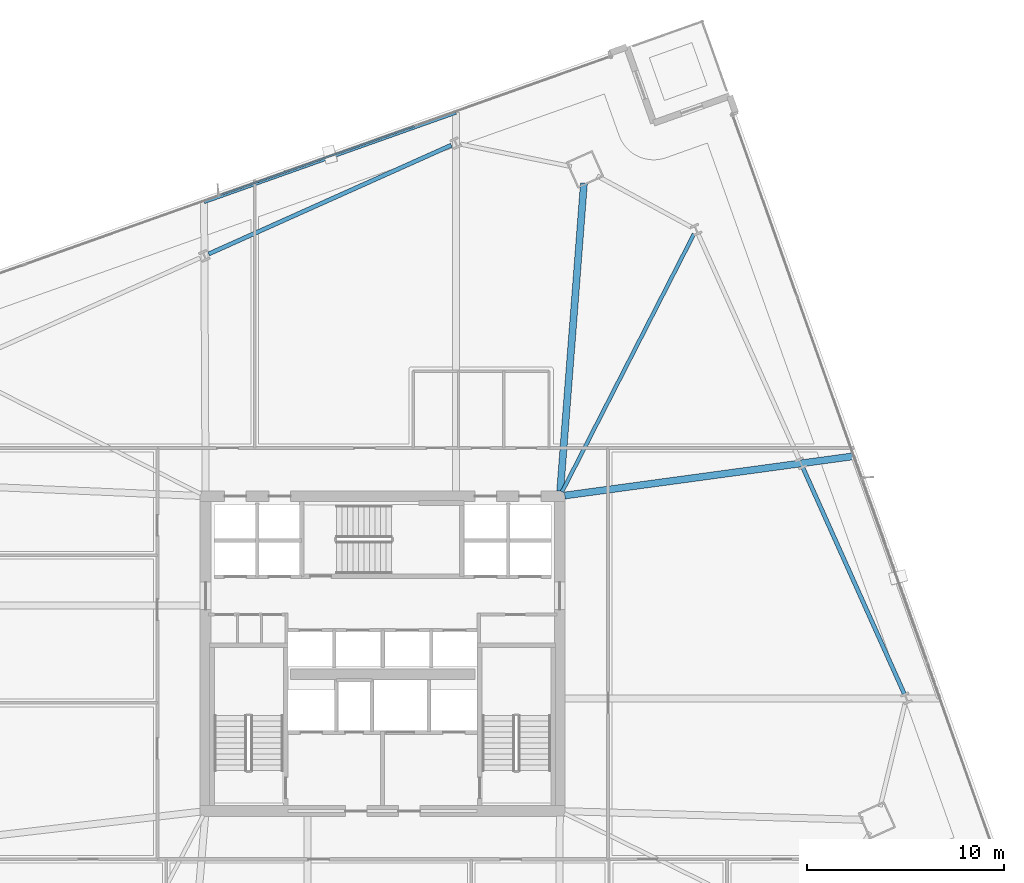
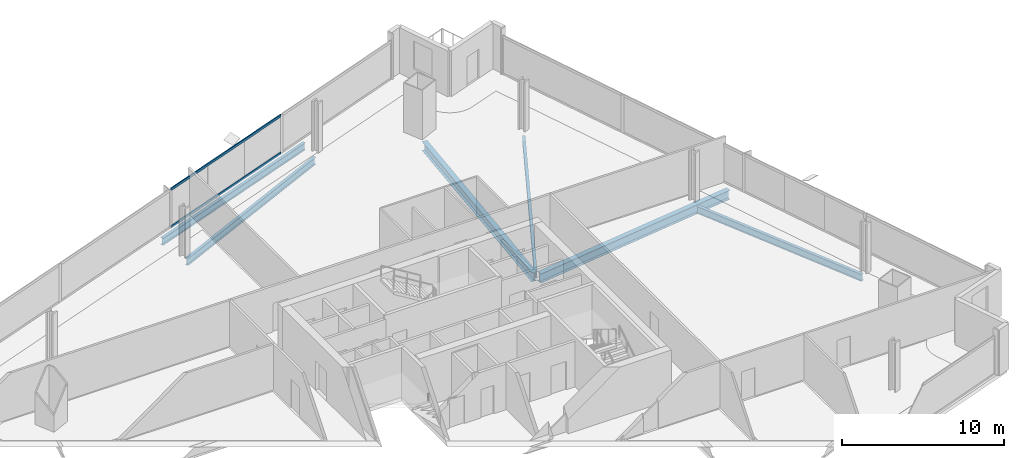
# One storey, part 19 of 33: 6 beams, 2 members, 1 element without a shape of its own.
"""IFC4 building model written with IfcOpenShell, lengths in metres."""

from ifc_helpers import new_model, si_unit, direction, frame, origin, origin_2d, place, context, subcontext, project, spatial, hollow_rectangle, i_section, extrude, material, material_profile, profile_set, type_object, element, aggregate, save


model = new_model("IFC4")

# Units and contexts
model_context = context("Model", 3, precision=1e-05, world=origin(), true_north=direction((0.0, 1.0)))
body_context = subcontext(model_context, "Body", "Model", "MODEL_VIEW")
ifc_project = project(units=[si_unit("LENGTHUNIT", "METRE"), si_unit("AREAUNIT", "SQUARE_METRE"), si_unit("VOLUMEUNIT", "CUBIC_METRE"), si_unit("PLANEANGLEUNIT", "RADIAN"), si_unit("MASSUNIT", "GRAM", prefix="KILO")], contexts=[model_context])

# Site, building, storey
site_placement = place(None, origin())
site = spatial("IfcSite", under=ifc_project, at=site_placement, CompositionType="ELEMENT")
building_placement = place(site_placement, origin())
building = spatial("IfcBuilding", under=site, at=building_placement, Name="Haldenkirk Collegiate Tower", CompositionType="ELEMENT")
storey_placement = place(building_placement, frame((0.0, 0.0, 94.199951171875)))
storey = spatial("IfcBuildingStorey", under=building, at=storey_placement, Name="L22", CompositionType="ELEMENT", Elevation=94.199951171875)

# Beams
ifc_material_1 = material(Name="Steel ASTM A992 Grade 50", Category="steel")
ifc_material_profile_1 = material_profile(ifc_material_1, i_section(OverallWidth=0.35498046875, OverallDepth=0.696044921875, WebThickness=0.015380859375, FlangeThickness=0.02490234375, at=origin_2d()), Name="W27X146")
ifc_profile_set_1 = profile_set([ifc_material_profile_1], Name="Steel ASTM A992 Grade 50")
beam_type_1 = type_object("IfcBeamType", Name="BM-GIRDER-W27X146", PredefinedType="BEAM", material=ifc_profile_set_1)
beam_1_placement = place(storey_placement, frame((46.226806640625, 49.9072265625, -0.64794921875), z_axis=(-0.076898657581, -0.997038914217, 0.0), x_axis=(0.997038914217, -0.076898657581, 0.0)))
element("IfcBeam", 1, at=beam_1_placement, inside=storey, type_object=beam_type_1, Name="L22 primary floor girder 03", PredefinedType="BEAM", context=body_context, shape_type="SweptSolid", body=[
    extrude(i_section(OverallWidth=0.35498046875, OverallDepth=0.696044921875, WebThickness=0.015380859375, FlangeThickness=0.02490234375, at=origin_2d()), origin(), (0.0, 0.0, 1.0), 15.699462890625),
])
beam_2_placement = place(storey_placement, frame((59.902587890625, 36.02734375, -0.64794921875), z_axis=(-0.990873526092, -0.134794863738, 0.0), x_axis=(0.134794863738, -0.990873526092, 0.0)))
element("IfcBeam", 2, at=beam_2_placement, inside=storey, type_object=beam_type_1, Name="L22 primary floor girder 09", PredefinedType="BEAM", context=body_context, shape_type="SweptSolid", body=[
    extrude(i_section(OverallWidth=0.35498046875, OverallDepth=0.696044921875, WebThickness=0.015380859375, FlangeThickness=0.02490234375, at=origin_2d()), origin(), (0.0, 0.0, 1.0), 14.784912109375),
])
ifc_material_profile_2 = material_profile(ifc_material_1, i_section(OverallWidth=0.19189453125, OverallDepth=0.462890625, WebThickness=0.010498046875, FlangeThickness=0.017578125, at=origin_2d()), Name="W18X60")
ifc_profile_set_2 = profile_set([ifc_material_profile_2], Name="Steel ASTM A992 Grade 50")
beam_type_2 = type_object("IfcBeamType", Name="BM-JOIST-W18X60", PredefinedType="JOIST", material=ifc_profile_set_2)
beam_3_placement = place(storey_placement, frame((51.818603515625, 47.32470703125, -0.531494140625), z_axis=(-0.455544005291, -0.890213266158, 0.0), x_axis=(0.890213266158, -0.455544005291, 0.0)))
element("IfcBeam", 3, at=beam_3_placement, inside=storey, type_object=beam_type_2, Name="L22 composite floor joist 10", PredefinedType="JOIST", context=body_context, shape_type="SweptSolid", body=[
    extrude(i_section(OverallWidth=0.19189453125, OverallDepth=0.462890625, WebThickness=0.010498046875, FlangeThickness=0.017578125, at=origin_2d()), origin(), (0.0, 0.0, 1.0), 14.712890625),
])
ifc_material_profile_3 = material_profile(ifc_material_1, i_section(OverallWidth=0.2119140625, OverallDepth=0.5439453125, WebThickness=0.01318359375, FlangeThickness=0.021240234375, at=origin_2d()), Name="W21X83")
ifc_profile_set_3 = profile_set([ifc_material_profile_3], Name="Steel ASTM A992 Grade 50")
beam_type_3 = type_object("IfcBeamType", Name="BM-SPANDREL-W21X83", PredefinedType="SPANDREL", material=ifc_profile_set_3)
beam_4_placement = place(storey_placement, frame((62.50830078125, 23.951416015625, -0.572021484375), z_axis=(-0.409131045523, 0.91247563671, 0.0), x_axis=(-0.91247563671, -0.409131045523, 0.0)))
element("IfcBeam", 4, at=beam_4_placement, inside=storey, type_object=beam_type_3, Name="L22 perimeter spandrel beam 06", PredefinedType="SPANDREL", context=body_context, shape_type="SweptSolid", body=[
    extrude(i_section(OverallWidth=0.2119140625, OverallDepth=0.5439453125, WebThickness=0.01318359375, FlangeThickness=0.021240234375, at=origin_2d()), origin(), (0.0, 0.0, 1.0), 12.593994140625),
])
beam_5_placement = place(storey_placement, frame((39.4921875, 51.84033203125, -0.572021484375), z_axis=(-0.912476765144, -0.409128528793, 0.0), x_axis=(0.409128528793, -0.912476765144, 0.0)))
element("IfcBeam", 5, at=beam_5_placement, inside=storey, type_object=beam_type_3, Name="L22 perimeter spandrel beam 10", PredefinedType="SPANDREL", context=body_context, shape_type="SweptSolid", body=[
    extrude(i_section(OverallWidth=0.2119140625, OverallDepth=0.5439453125, WebThickness=0.01318359375, FlangeThickness=0.021240234375, at=origin_2d()), origin(), (0.0, 0.0, 1.0), 13.512939453125),
])
beam_6_placement = place(storey_placement, frame((39.71630859375, 53.509521484375, -0.572021484375), z_axis=(-0.942347453319, -0.334636036946, 0.0), x_axis=(0.334636036946, -0.942347453319, 0.0)))
element("IfcBeam", 6, at=beam_6_placement, inside=storey, type_object=beam_type_3, Name="L22 outer facade edge beam 3", PredefinedType="SPANDREL", context=body_context, shape_type="SweptSolid", body=[
    extrude(i_section(OverallWidth=0.2119140625, OverallDepth=0.5439453125, WebThickness=0.01318359375, FlangeThickness=0.021240234375, at=origin_2d()), origin(), (0.0, 0.0, 1.0), 13.5751953125),
])

# Curtain wall, members
ifc_material_2 = material(Name="Anodised architectural bronze aluminium", Category="aluminium")
curtain_wall_type = type_object("IfcCurtainWallType", Name="CW-SYS1-CONVEX-LOW", PredefinedType="USERDEFINED", material=ifc_material_2)
curtain_wall_placement = place(storey_placement, origin())
curtain_wall = element("IfcCurtainWall", 7, at=curtain_wall_placement, inside=storey, type_object=curtain_wall_type, Name="L22 Lower tower convex bronze-framed unitised curtain wall", ObjectType="UNITISED CURTAIN WALL", PredefinedType="USERDEFINED")
ifc_material_profile_4 = material_profile(ifc_material_2, hollow_rectangle(XDim=0.080078125, YDim=0.179931640625, WallThickness=0.0048828125, at=origin_2d()), Name="CW-TRN-1A")
ifc_profile_set_4 = profile_set([ifc_material_profile_4], Name="Anodised architectural bronze aluminium")
member_type = type_object("IfcMemberType", Name="CW-TRN-1A", PredefinedType="USERDEFINED", material=ifc_profile_set_4)
member_1_placement = place(storey_placement, frame((27.765625, 49.308349609375, 0.0400390625), z_axis=(0.942347592669, 0.33463564453, 0.0), x_axis=(-0.33463564453, 0.942347592669, 0.0)))
member_1 = element("IfcMember", 8, at=member_1_placement, type_object=member_type, Name="CW-1A transom 3.1", ObjectType="TRANSOM", PredefinedType="USERDEFINED", context=body_context, shape_type="SweptSolid", body=[
    extrude(hollow_rectangle(XDim=0.080078125, YDim=0.179931640625, WallThickness=0.0048828125, at=origin_2d()), origin(), (0.0, 0.0, 1.0), 10.469970703125),
])
member_2_placement = place(storey_placement, frame((27.765625, 49.308349609375, 2.861083984375), z_axis=(0.942347592669, 0.33463564453, 0.0), x_axis=(-0.33463564453, 0.942347592669, 0.0)))
member_2 = element("IfcMember", 9, at=member_2_placement, type_object=member_type, Name="CW-1A transom 3.2", ObjectType="TRANSOM", PredefinedType="USERDEFINED", context=body_context, shape_type="SweptSolid", body=[
    extrude(hollow_rectangle(XDim=0.080078125, YDim=0.179931640625, WallThickness=0.0048828125, at=origin_2d()), origin(), (0.0, 0.0, 1.0), 10.469970703125),
])
aggregate(curtain_wall, [member_1, member_2])

save(model, "model.ifc")
